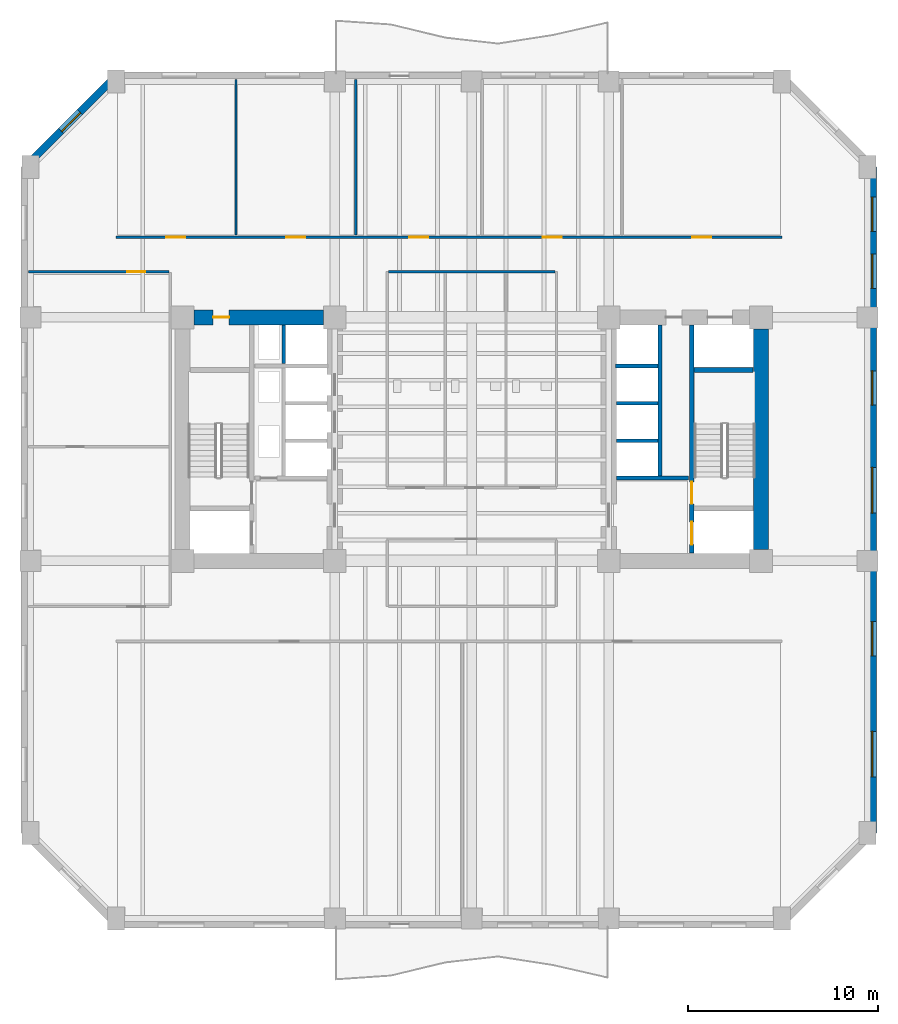
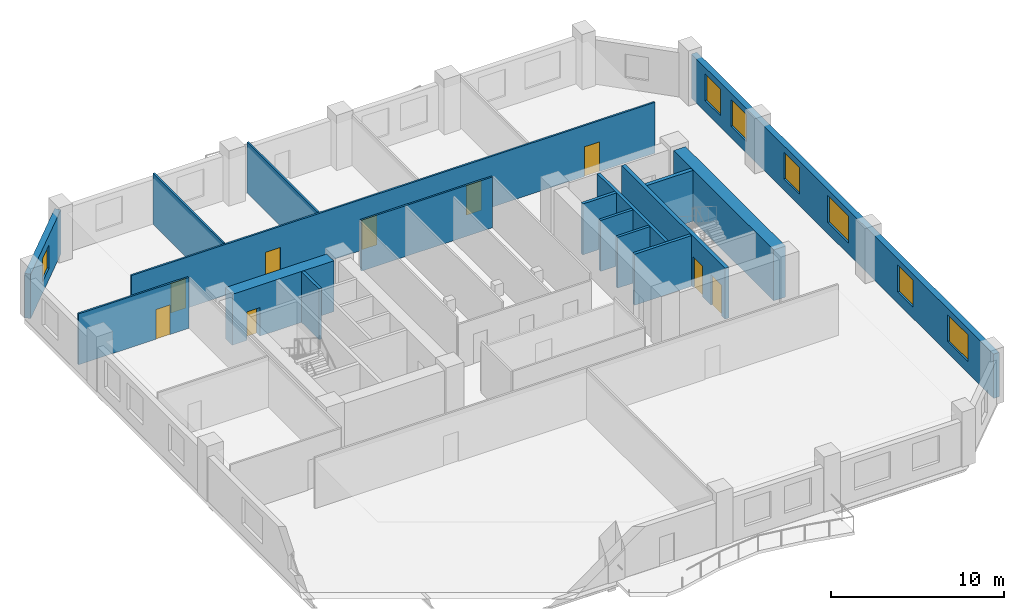
# One storey, part 4 of 9: 17 walls, 9 doors, 7 windows, 16 openings.
"""IFC4 building model written with IfcOpenShell, lengths in metres."""

from ifc_helpers import new_model, si_unit, direction, frame, frame_2d, origin, place, context, subcontext, project, spatial, rectangle, extrude, material, layer, layer_set, type_object, element, fill, save


model = new_model("IFC4")

# Units and contexts
model_context = context("Model", 3, precision=1e-05, world=origin(), true_north=direction((0.0, 1.0)))
body_context = subcontext(model_context, "Body", "Model", "MODEL_VIEW")
ifc_project = project(units=[si_unit("LENGTHUNIT", "METRE"), si_unit("AREAUNIT", "SQUARE_METRE"), si_unit("VOLUMEUNIT", "CUBIC_METRE"), si_unit("PLANEANGLEUNIT", "RADIAN"), si_unit("MASSUNIT", "GRAM", prefix="KILO")], contexts=[model_context])

# Site, building, storey
site_placement = place(None, origin())
site = spatial("IfcSite", under=ifc_project, at=site_placement, CompositionType="ELEMENT")
building_placement = place(site_placement, origin())
building = spatial("IfcBuilding", under=site, at=building_placement, Name="Kranthara Brick Stack", CompositionType="ELEMENT")
storey_placement = place(building_placement, frame((0.0, 0.0, 28.199951171875)))
storey = spatial("IfcBuildingStorey", under=building, at=storey_placement, Name="L06", CompositionType="ELEMENT", Elevation=28.199951171875)

# Wall, opening, window
ifc_material_1 = material(Name="Kiln-fired clay brick masonry M15", Category="masonry")
ifc_layer_1 = layer(ifc_material_1, 0.3798828125)
ifc_layer_set_1 = layer_set([ifc_layer_1], Name="Kiln-fired clay brick masonry M15")
wall_type_1 = type_object("IfcWallType", Name="WL-BRK-PIER-380", PredefinedType="STANDARD", material=ifc_layer_set_1)
wall_1_placement = place(storey_placement, frame((4.510009765625, 41.5, 0.0), z_axis=(0.0, 0.0, 1.0), x_axis=(0.707106781187, 0.707106781187, 0.0)))
wall_1 = element("IfcWall", 1, at=wall_1_placement, inside=storey, type_object=wall_type_1, Name="L06 Exterior Brick Facade Wall NW 1", PredefinedType="STANDARD", context=body_context, shape_type="SweptSolid", body=[
    extrude(rectangle(XDim=6.774169921875, YDim=0.3798828125, at=frame_2d((3.38720703125, 0.0))), origin(), (0.0, 0.0, 1.0), 3.135009765625),
])
opening_1_placement = place(wall_1_placement, frame((2.68701171875, 0.0, 0.800048828125)))
opening_1 = element("IfcOpeningElement", 2, at=opening_1_placement, cuts=wall_1, Name="Opening WN10", PredefinedType="OPENING", context=body_context, shape_type="SweptSolid", body=[
    extrude(rectangle(XDim=1.39990234375, YDim=1.64990234375, at=frame_2d((0.699951171875, 0.824951171875))), frame((0.0, 0.199951171875, 0.0), z_axis=(0.0, -1.0, 0.0), x_axis=(1.0, 0.0, 0.0)), (0.0, 0.0, 1.0), 0.39990234375),
])
ifc_material_2 = material(Name="Double-glazed low-E solar control glass", Category="glass")
window_type_1 = type_object("IfcWindowType", Name="WN-CHM-1400x1750", PartitioningType="SINGLE_PANEL", PredefinedType="WINDOW", material=ifc_material_2)
window_1_placement = place(opening_1_placement, origin())
window_1 = element("IfcWindow", 3, at=window_1_placement, inside=storey, type_object=window_type_1, Name="L06 NW Chamfer Corner Window", OverallHeight=1.64990234375, OverallWidth=1.39990234375, PartitioningType="SINGLE_PANEL", PredefinedType="WINDOW", context=body_context, shape_type="SweptSolid", body=[
    extrude(rectangle(XDim=1.39990234375, YDim=1.64990234375, at=frame_2d((0.699951171875, 0.824951171875))), frame((0.0, -0.010009765625, 0.0), z_axis=(0.0, -1.0, 0.0), x_axis=(1.0, 0.0, 0.0)), (0.0, 0.0, 1.0), 0.06005859375),
])
fill(opening_1, window_1)

# Wall, openings, windows
wall_2_placement = place(storey_placement, frame((49.090087890625, 41.5, 0.0), z_axis=(0.0, 0.0, 1.0), x_axis=(0.0, -1.0, 0.0)))
wall_2 = element("IfcWall", 4, at=wall_2_placement, inside=storey, type_object=wall_type_1, Name="L06 Exterior Brick Facade Wall EAST 1", PredefinedType="STANDARD", context=body_context, shape_type="SweptSolid", body=[
    extrude(rectangle(XDim=35.0, YDim=0.3798828125, at=frame_2d((17.5, 0.0))), origin(), (0.0, 0.0, 1.0), 3.135009765625),
])
opening_2_placement = place(wall_2_placement, frame((1.574951171875, 0.0, 0.800048828125)))
opening_2 = element("IfcOpeningElement", 5, at=opening_2_placement, cuts=wall_2, Name="Opening WN01", PredefinedType="OPENING", context=body_context, shape_type="SweptSolid", body=[
    extrude(rectangle(XDim=1.800048828125, YDim=1.89990234375, at=frame_2d((0.89990234375, 0.949951171875))), frame((0.0, 0.199951171875, 0.0), z_axis=(0.0, -1.0, 0.0), x_axis=(1.0, 0.0, 0.0)), (0.0, 0.0, 1.0), 0.39990234375),
])
opening_3_placement = place(wall_2_placement, frame((4.574951171875, 0.0, 0.800048828125)))
opening_3 = element("IfcOpeningElement", 6, at=opening_3_placement, cuts=wall_2, Name="Opening WN01", PredefinedType="OPENING", context=body_context, shape_type="SweptSolid", body=[
    extrude(rectangle(XDim=1.800048828125, YDim=1.89990234375, at=frame_2d((0.89990234375, 0.949951171875))), frame((0.0, 0.199951171875, 0.0), z_axis=(0.0, -1.0, 0.0), x_axis=(1.0, 0.0, 0.0)), (0.0, 0.0, 1.0), 0.39990234375),
])
opening_4_placement = place(wall_2_placement, frame((10.7119140625, 0.0, 0.800048828125)))
opening_4 = element("IfcOpeningElement", 7, at=opening_4_placement, cuts=wall_2, Name="Opening WN01", PredefinedType="OPENING", context=body_context, shape_type="SweptSolid", body=[
    extrude(rectangle(XDim=1.800048828125, YDim=1.89990234375, at=frame_2d((0.89990234375, 0.949951171875))), frame((0.0, 0.199951171875, 0.0), z_axis=(0.0, -1.0, 0.0), x_axis=(1.0, 0.0, 0.0)), (0.0, 0.0, 1.0), 0.39990234375),
])
opening_5_placement = place(wall_2_placement, frame((15.7880859375, 0.0, 0.800048828125)))
opening_5 = element("IfcOpeningElement", 8, at=opening_5_placement, cuts=wall_2, Name="Opening WN02", PredefinedType="OPENING", context=body_context, shape_type="SweptSolid", body=[
    extrude(rectangle(XDim=2.39990234375, YDim=1.89990234375, at=frame_2d((1.199951171875, 0.949951171875))), frame((0.0, 0.199951171875, 0.0), z_axis=(0.0, -1.0, 0.0), x_axis=(1.0, 0.0, 0.0)), (0.0, 0.0, 1.0), 0.39990234375),
])
opening_6_placement = place(wall_2_placement, frame((23.888916015625, 0.0, 0.800048828125)))
opening_6 = element("IfcOpeningElement", 9, at=opening_6_placement, cuts=wall_2, Name="Opening WN01", PredefinedType="OPENING", context=body_context, shape_type="SweptSolid", body=[
    extrude(rectangle(XDim=1.800048828125, YDim=1.89990234375, at=frame_2d((0.89990234375, 0.949951171875))), frame((0.0, 0.199951171875, 0.0), z_axis=(0.0, -1.0, 0.0), x_axis=(1.0, 0.0, 0.0)), (0.0, 0.0, 1.0), 0.39990234375),
])
opening_7_placement = place(wall_2_placement, frame((29.660888671875, 0.0, 0.800048828125)))
opening_7 = element("IfcOpeningElement", 10, at=opening_7_placement, cuts=wall_2, Name="Opening WN02", PredefinedType="OPENING", context=body_context, shape_type="SweptSolid", body=[
    extrude(rectangle(XDim=2.39990234375, YDim=1.89990234375, at=frame_2d((1.199951171875, 0.949951171875))), frame((0.0, 0.199951171875, 0.0), z_axis=(0.0, -1.0, 0.0), x_axis=(1.0, 0.0, 0.0)), (0.0, 0.0, 1.0), 0.39990234375),
])
ifc_material_3 = material(Name="Double-glazed low-E solar control glass", Category="glass")
window_type_2 = type_object("IfcWindowType", Name="WN-OFF-1800x2000", PartitioningType="SINGLE_PANEL", PredefinedType="WINDOW", material=ifc_material_3)
window_2_placement = place(opening_2_placement, origin())
window_2 = element("IfcWindow", 11, at=window_2_placement, inside=storey, type_object=window_type_2, Name="L06 East Deep-Set Brick Window 01", OverallHeight=1.89990234375, OverallWidth=1.800048828125, PartitioningType="SINGLE_PANEL", PredefinedType="WINDOW", context=body_context, shape_type="SweptSolid", body=[
    extrude(rectangle(XDim=1.800048828125, YDim=1.89990234375, at=frame_2d((0.89990234375, 0.949951171875))), frame((0.0, -0.010009765625, 0.0), z_axis=(0.0, -1.0, 0.0), x_axis=(1.0, 0.0, 0.0)), (0.0, 0.0, 1.0), 0.06005859375),
])
fill(opening_2, window_2)
window_3_placement = place(opening_3_placement, origin())
window_3 = element("IfcWindow", 12, at=window_3_placement, inside=storey, type_object=window_type_2, Name="L06 East Deep-Set Brick Window 02", OverallHeight=1.89990234375, OverallWidth=1.800048828125, PartitioningType="SINGLE_PANEL", PredefinedType="WINDOW", context=body_context, shape_type="SweptSolid", body=[
    extrude(rectangle(XDim=1.800048828125, YDim=1.89990234375, at=frame_2d((0.89990234375, 0.949951171875))), frame((0.0, -0.010009765625, 0.0), z_axis=(0.0, -1.0, 0.0), x_axis=(1.0, 0.0, 0.0)), (0.0, 0.0, 1.0), 0.06005859375),
])
fill(opening_3, window_3)
window_4_placement = place(opening_4_placement, origin())
window_4 = element("IfcWindow", 13, at=window_4_placement, inside=storey, type_object=window_type_2, Name="L06 East Deep-Set Brick Window 03", OverallHeight=1.89990234375, OverallWidth=1.800048828125, PartitioningType="SINGLE_PANEL", PredefinedType="WINDOW", context=body_context, shape_type="SweptSolid", body=[
    extrude(rectangle(XDim=1.800048828125, YDim=1.89990234375, at=frame_2d((0.89990234375, 0.949951171875))), frame((0.0, -0.010009765625, 0.0), z_axis=(0.0, -1.0, 0.0), x_axis=(1.0, 0.0, 0.0)), (0.0, 0.0, 1.0), 0.06005859375),
])
fill(opening_4, window_4)
window_5_placement = place(opening_6_placement, origin())
window_5 = element("IfcWindow", 14, at=window_5_placement, inside=storey, type_object=window_type_2, Name="L06 East Deep-Set Brick Window 05", OverallHeight=1.89990234375, OverallWidth=1.800048828125, PartitioningType="SINGLE_PANEL", PredefinedType="WINDOW", context=body_context, shape_type="SweptSolid", body=[
    extrude(rectangle(XDim=1.800048828125, YDim=1.89990234375, at=frame_2d((0.89990234375, 0.949951171875))), frame((0.0, -0.010009765625, 0.0), z_axis=(0.0, -1.0, 0.0), x_axis=(1.0, 0.0, 0.0)), (0.0, 0.0, 1.0), 0.06005859375),
])
fill(opening_6, window_5)
ifc_material_4 = material(Name="Double-glazed low-E solar control glass", Category="glass")
window_type_3 = type_object("IfcWindowType", Name="WN-OFF-2400x2000", PartitioningType="DOUBLE_PANEL_VERTICAL", PredefinedType="WINDOW", material=ifc_material_4)
window_6_placement = place(opening_5_placement, origin())
window_6 = element("IfcWindow", 15, at=window_6_placement, inside=storey, type_object=window_type_3, Name="L06 East Deep-Set Brick Window 04", OverallHeight=1.89990234375, OverallWidth=2.39990234375, PartitioningType="SINGLE_PANEL", PredefinedType="WINDOW", context=body_context, shape_type="SweptSolid", body=[
    extrude(rectangle(XDim=2.39990234375, YDim=1.89990234375, at=frame_2d((1.199951171875, 0.949951171875))), frame((0.0, -0.010009765625, 0.0), z_axis=(0.0, -1.0, 0.0), x_axis=(1.0, 0.0, 0.0)), (0.0, 0.0, 1.0), 0.06005859375),
])
fill(opening_5, window_6)
window_7_placement = place(opening_7_placement, origin())
window_7 = element("IfcWindow", 16, at=window_7_placement, inside=storey, type_object=window_type_3, Name="L06 East Deep-Set Brick Window 06", OverallHeight=1.89990234375, OverallWidth=2.39990234375, PartitioningType="SINGLE_PANEL", PredefinedType="WINDOW", context=body_context, shape_type="SweptSolid", body=[
    extrude(rectangle(XDim=2.39990234375, YDim=1.89990234375, at=frame_2d((1.199951171875, 0.949951171875))), frame((0.0, -0.010009765625, 0.0), z_axis=(0.0, -1.0, 0.0), x_axis=(1.0, 0.0, 0.0)), (0.0, 0.0, 1.0), 0.06005859375),
])
fill(opening_7, window_7)

# Wall, openings, doors
ifc_material_5 = material(Name="Concrete C50/60", Category="concrete")
ifc_layer_2 = layer(ifc_material_5, 0.25)
ifc_layer_set_2 = layer_set([ifc_layer_2], Name="Concrete C50/60")
wall_type_2 = type_object("IfcWallType", Name="WL-CORE-250", PredefinedType="SHEAR", material=ifc_layer_set_2)
wall_3_placement = place(storey_placement, frame((39.56494140625, 21.2099609375, 0.0), z_axis=(0.0, 0.0, 1.0), x_axis=(0.0, 1.0, 0.0)))
wall_3 = element("IfcWall", 17, at=wall_3_placement, inside=storey, type_object=wall_type_2, Name="L06 East Core Stair Bearing Spine Wall", PredefinedType="SHEAR", context=body_context, shape_type="SweptSolid", body=[
    extrude(rectangle(XDim=11.97998046875, YDim=0.25, at=frame_2d((5.989990234375, 0.0))), origin(), (0.0, 0.0, 1.0), 3.60009765625),
])
opening_8_placement = place(wall_3_placement, frame((0.43994140625, 0.0, 0.0)))
opening_8 = element("IfcOpeningElement", 18, at=opening_8_placement, cuts=wall_3, Name="Opening LD01", PredefinedType="OPENING", context=body_context, shape_type="SweptSolid", body=[
    extrude(rectangle(XDim=1.199951171875, YDim=2.14990234375, at=frame_2d((0.60009765625, 1.074951171875))), frame((0.0, 0.135009765625, 0.0), z_axis=(0.0, -1.0, 0.0), x_axis=(1.0, 0.0, 0.0)), (0.0, 0.0, 1.0), 0.27001953125),
])
opening_9_placement = place(wall_3_placement, frame((2.590087890625, 0.0, 0.0)))
opening_9 = element("IfcOpeningElement", 19, at=opening_9_placement, cuts=wall_3, Name="Opening D05", PredefinedType="OPENING", context=body_context, shape_type="SweptSolid", body=[
    extrude(rectangle(XDim=1.14990234375, YDim=2.14990234375, at=frame_2d((0.574951171875, 1.074951171875))), frame((0.0, 0.135009765625, 0.0), z_axis=(0.0, -1.0, 0.0), x_axis=(1.0, 0.0, 0.0)), (0.0, 0.0, 1.0), 0.27001953125),
])
ifc_material_6 = material(Name="Stainless steel sliding landing door", Category="steel")
door_type_1 = type_object("IfcDoorType", Name="DR-LD-FF1200", OperationType="DOUBLE_DOOR_SLIDING", PredefinedType="DOOR", material=ifc_material_6)
door_1_placement = place(opening_8_placement, origin())
door_1 = element("IfcDoor", 20, at=door_1_placement, inside=storey, type_object=door_type_1, Name="L06 Firefighting Lift FF-02 Landing Door", OperationType="DOUBLE_DOOR_SLIDING", OverallHeight=2.14990234375, OverallWidth=1.199951171875, PredefinedType="DOOR", context=body_context, shape_type="SweptSolid", body=[
    extrude(rectangle(XDim=1.199951171875, YDim=2.14990234375, at=frame_2d((0.60009765625, 1.074951171875))), frame((0.0, 0.02490234375, 0.0), z_axis=(0.0, -1.0, 0.0), x_axis=(1.0, 0.0, 0.0)), (0.0, 0.0, 1.0), 0.050048828125),
])
fill(opening_8, door_1)
ifc_material_7 = material(Name="Solid-core hardwood timber leaf in steel frame", Category="steel")
door_type_2 = type_object("IfcDoorType", Name="DR-ST-1150", OperationType="NOTDEFINED", PredefinedType="DOOR", material=ifc_material_7)
door_2_placement = place(opening_9_placement, origin())
door_2 = element("IfcDoor", 21, at=door_2_placement, inside=storey, type_object=door_type_2, Name="L06 Exit Stair ST02 Door", OperationType="SINGLE_SWING_LEFT", OverallHeight=2.14990234375, OverallWidth=1.14990234375, PredefinedType="DOOR", context=body_context, shape_type="SweptSolid", body=[
    extrude(rectangle(XDim=1.14990234375, YDim=2.14990234375, at=frame_2d((0.574951171875, 1.074951171875))), frame((0.0, 0.02490234375, 0.0), z_axis=(0.0, -1.0, 0.0), x_axis=(1.0, 0.0, 0.0)), (0.0, 0.0, 1.0), 0.050048828125),
])
fill(opening_9, door_2)

# Wall
wall_4_placement = place(storey_placement, frame((39.68994140625, 30.830078125, 0.0), z_axis=(0.0, 0.0, 1.0), x_axis=(1.0, 0.0, 0.0)))
element("IfcWall", 22, at=wall_4_placement, inside=storey, type_object=wall_type_2, Name="L06 East Stairwell Bearing Wall EST", PredefinedType="SHEAR", context=body_context, shape_type="SweptSolid", body=[
    extrude(rectangle(XDim=3.10009765625, YDim=0.25, at=frame_2d((1.550048828125, 0.0))), origin(), (0.0, 0.0, 1.0), 3.60009765625),
])

# Wall, opening, door
ifc_material_8 = material(Name="Concrete C70/85", Category="concrete")
ifc_layer_3 = layer(ifc_material_8, 0.800048828125)
ifc_layer_set_3 = layer_set([ifc_layer_3], Name="Concrete C70/85")
wall_type_3 = type_object("IfcWallType", Name="WL-CORE-800", PredefinedType="SHEAR", material=ifc_layer_set_3)
wall_5_placement = place(storey_placement, frame((13.405029296875, 33.60009765625, 0.0), z_axis=(0.0, 0.0, 1.0), x_axis=(1.0, 0.0, 0.0)))
wall_5 = element("IfcWall", 23, at=wall_5_placement, inside=storey, type_object=wall_type_3, Name="L06 West Core Shear Wall North", PredefinedType="SHEAR", context=body_context, shape_type="SweptSolid", body=[
    extrude(rectangle(XDim=6.7900390625, YDim=0.800048828125, at=frame_2d((3.39501953125, 0.0))), origin(), (0.0, 0.0, 1.0), 3.60009765625),
])
opening_10_placement = place(wall_5_placement, frame((0.9951171875, 0.0, 0.0)))
opening_10 = element("IfcOpeningElement", 24, at=opening_10_placement, cuts=wall_5, Name="Opening D10", PredefinedType="OPENING", context=body_context, shape_type="SweptSolid", body=[
    extrude(rectangle(XDim=0.85009765625, YDim=2.02001953125, at=frame_2d((0.425048828125, 1.010009765625))), frame((0.0, 0.409912109375, 0.0), z_axis=(0.0, -1.0, 0.0), x_axis=(1.0, 0.0, 0.0)), (0.0, 0.0, 1.0), 0.820068359375),
])
ifc_material_9 = material(Name="Solid-core hardwood timber leaf in steel frame", Category="steel")
door_type_3 = type_object("IfcDoorType", Name="DR-RSR-850", OperationType="NOTDEFINED", PredefinedType="DOOR", material=ifc_material_9)
door_3_placement = place(opening_10_placement, origin())
door_3 = element("IfcDoor", 25, at=door_3_placement, inside=storey, type_object=door_type_3, Name="L06 West Core Service Door 1", OperationType="SINGLE_SWING_LEFT", OverallHeight=2.02001953125, OverallWidth=0.85009765625, PredefinedType="DOOR", context=body_context, shape_type="SweptSolid", body=[
    extrude(rectangle(XDim=0.85009765625, YDim=2.02001953125, at=frame_2d((0.425048828125, 1.010009765625))), frame((0.0, 0.02490234375, 0.0), z_axis=(0.0, -1.0, 0.0), x_axis=(1.0, 0.0, 0.0)), (0.0, 0.0, 1.0), 0.050048828125),
])
fill(opening_10, door_3)

# Walls
wall_6_placement = place(storey_placement, frame((43.199951171875, 21.405029296875, 0.0), z_axis=(0.0, 0.0, 1.0), x_axis=(0.0, 1.0, 0.0)))
element("IfcWall", 26, at=wall_6_placement, inside=storey, type_object=wall_type_3, Name="L06 East Core Shear Wall East", PredefinedType="SHEAR", context=body_context, shape_type="SweptSolid", body=[
    extrude(rectangle(XDim=11.590087890625, YDim=0.800048828125, at=frame_2d((5.794921875, 0.0))), origin(), (0.0, 0.0, 1.0), 3.60009765625),
])
ifc_material_10 = material(Name="Acoustic gypsum plasterboard partition", Category="other")
ifc_layer_4 = layer(ifc_material_10, 0.1201171875)
ifc_layer_set_4 = layer_set([ifc_layer_4], Name="Acoustic gypsum plasterboard partition")
wall_type_4 = type_object("IfcWallType", Name="WL-PART-120", PredefinedType="PARTITIONING", material=ifc_layer_set_4)
wall_7_placement = place(storey_placement, frame((23.614990234375, 36.0, 0.0), z_axis=(0.0, 0.0, 1.0), x_axis=(1.0, 0.0, 0.0)))
element("IfcWall", 27, at=wall_7_placement, inside=storey, type_object=wall_type_4, Name="L06 Interior Partition 006", PredefinedType="PARTITIONING", context=body_context, shape_type="SweptSolid", body=[
    extrude(rectangle(XDim=8.77001953125, YDim=0.1201171875, at=frame_2d((4.385009765625, 0.0))), origin(), (0.0, 0.0, 1.0), 3.60009765625),
])

# Wall, openings, doors
wall_8_placement = place(storey_placement, frame((9.300048828125, 37.820068359375, 0.0), z_axis=(0.0, 0.0, 1.0), x_axis=(1.0, 0.0, 0.0)))
wall_8 = element("IfcWall", 28, at=wall_8_placement, inside=storey, type_object=wall_type_4, Name="L06 Interior Partition 013", PredefinedType="PARTITIONING", context=body_context, shape_type="SweptSolid", body=[
    extrude(rectangle(XDim=35.0, YDim=0.1201171875, at=frame_2d((17.5, 0.0))), origin(), (0.0, 0.0, 1.0), 3.60009765625),
])
opening_11_placement = place(wall_8_placement, frame((2.64990234375, 0.0, 0.0)))
opening_11 = element("IfcOpeningElement", 29, at=opening_11_placement, cuts=wall_8, Name="Opening D13", PredefinedType="OPENING", context=body_context, shape_type="SweptSolid", body=[
    extrude(rectangle(XDim=1.0, YDim=2.10009765625, at=frame_2d((0.5, 1.050048828125))), frame((0.0, 0.070068359375, 0.0), z_axis=(0.0, -1.0, 0.0), x_axis=(1.0, 0.0, 0.0)), (0.0, 0.0, 1.0), 0.14013671875),
])
opening_12_placement = place(wall_8_placement, frame((8.949951171875, 0.0, 0.0)))
opening_12 = element("IfcOpeningElement", 30, at=opening_12_placement, cuts=wall_8, Name="Opening D13", PredefinedType="OPENING", context=body_context, shape_type="SweptSolid", body=[
    extrude(rectangle(XDim=1.0, YDim=2.10009765625, at=frame_2d((0.5, 1.050048828125))), frame((0.0, 0.070068359375, 0.0), z_axis=(0.0, -1.0, 0.0), x_axis=(1.0, 0.0, 0.0)), (0.0, 0.0, 1.0), 0.14013671875),
])
opening_13_placement = place(wall_8_placement, frame((15.425048828125, 0.0, 0.0)))
opening_13 = element("IfcOpeningElement", 31, at=opening_13_placement, cuts=wall_8, Name="Opening D13", PredefinedType="OPENING", context=body_context, shape_type="SweptSolid", body=[
    extrude(rectangle(XDim=1.0, YDim=2.10009765625, at=frame_2d((0.5, 1.050048828125))), frame((0.0, 0.070068359375, 0.0), z_axis=(0.0, -1.0, 0.0), x_axis=(1.0, 0.0, 0.0)), (0.0, 0.0, 1.0), 0.14013671875),
])
opening_14_placement = place(wall_8_placement, frame((22.425048828125, 0.0, 0.0)))
opening_14 = element("IfcOpeningElement", 32, at=opening_14_placement, cuts=wall_8, Name="Opening D13", PredefinedType="OPENING", context=body_context, shape_type="SweptSolid", body=[
    extrude(rectangle(XDim=1.0, YDim=2.10009765625, at=frame_2d((0.5, 1.050048828125))), frame((0.0, 0.070068359375, 0.0), z_axis=(0.0, -1.0, 0.0), x_axis=(1.0, 0.0, 0.0)), (0.0, 0.0, 1.0), 0.14013671875),
])
opening_15_placement = place(wall_8_placement, frame((30.300048828125, 0.0, 0.0)))
opening_15 = element("IfcOpeningElement", 33, at=opening_15_placement, cuts=wall_8, Name="Opening D13", PredefinedType="OPENING", context=body_context, shape_type="SweptSolid", body=[
    extrude(rectangle(XDim=1.0, YDim=2.10009765625, at=frame_2d((0.5, 1.050048828125))), frame((0.0, 0.070068359375, 0.0), z_axis=(0.0, -1.0, 0.0), x_axis=(1.0, 0.0, 0.0)), (0.0, 0.0, 1.0), 0.14013671875),
])
ifc_material_11 = material(Name="Solid-core hardwood timber leaf in steel frame", Category="steel")
door_type_4 = type_object("IfcDoorType", Name="DR-INT-1000", OperationType="NOTDEFINED", PredefinedType="DOOR", material=ifc_material_11)
door_4_placement = place(opening_11_placement, origin())
door_4 = element("IfcDoor", 34, at=door_4_placement, inside=storey, type_object=door_type_4, Name="L06 Executive Cellular Office 07", OperationType="SINGLE_SWING_LEFT", OverallHeight=2.10009765625, OverallWidth=1.0, PredefinedType="DOOR", context=body_context, shape_type="SweptSolid", body=[
    extrude(rectangle(XDim=1.0, YDim=2.10009765625, at=frame_2d((0.5, 1.050048828125))), frame((0.0, 0.02490234375, 0.0), z_axis=(0.0, -1.0, 0.0), x_axis=(1.0, 0.0, 0.0)), (0.0, 0.0, 1.0), 0.050048828125),
])
fill(opening_11, door_4)
door_5_placement = place(opening_12_placement, origin())
door_5 = element("IfcDoor", 35, at=door_5_placement, inside=storey, type_object=door_type_4, Name="L06 Executive Cellular Office 08", OperationType="SINGLE_SWING_RIGHT", OverallHeight=2.10009765625, OverallWidth=1.0, PredefinedType="DOOR", context=body_context, shape_type="SweptSolid", body=[
    extrude(rectangle(XDim=1.0, YDim=2.10009765625, at=frame_2d((0.5, 1.050048828125))), frame((0.0, 0.02490234375, 0.0), z_axis=(0.0, -1.0, 0.0), x_axis=(1.0, 0.0, 0.0)), (0.0, 0.0, 1.0), 0.050048828125),
])
fill(opening_12, door_5)
door_6_placement = place(opening_13_placement, origin())
door_6 = element("IfcDoor", 36, at=door_6_placement, inside=storey, type_object=door_type_4, Name="L06 Executive Cellular Office 09", OperationType="SINGLE_SWING_LEFT", OverallHeight=2.10009765625, OverallWidth=1.0, PredefinedType="DOOR", context=body_context, shape_type="SweptSolid", body=[
    extrude(rectangle(XDim=1.0, YDim=2.10009765625, at=frame_2d((0.5, 1.050048828125))), frame((0.0, 0.02490234375, 0.0), z_axis=(0.0, -1.0, 0.0), x_axis=(1.0, 0.0, 0.0)), (0.0, 0.0, 1.0), 0.050048828125),
])
fill(opening_13, door_6)
door_7_placement = place(opening_14_placement, origin())
door_7 = element("IfcDoor", 37, at=door_7_placement, inside=storey, type_object=door_type_4, Name="L06 Meeting Room 10", OperationType="SINGLE_SWING_RIGHT", OverallHeight=2.10009765625, OverallWidth=1.0, PredefinedType="DOOR", context=body_context, shape_type="SweptSolid", body=[
    extrude(rectangle(XDim=1.0, YDim=2.10009765625, at=frame_2d((0.5, 1.050048828125))), frame((0.0, 0.02490234375, 0.0), z_axis=(0.0, -1.0, 0.0), x_axis=(1.0, 0.0, 0.0)), (0.0, 0.0, 1.0), 0.050048828125),
])
fill(opening_14, door_7)
door_8_placement = place(opening_15_placement, origin())
door_8 = element("IfcDoor", 38, at=door_8_placement, inside=storey, type_object=door_type_4, Name="L06 Staff Pantry 11", OperationType="SINGLE_SWING_LEFT", OverallHeight=2.10009765625, OverallWidth=1.0, PredefinedType="DOOR", context=body_context, shape_type="SweptSolid", body=[
    extrude(rectangle(XDim=1.0, YDim=2.10009765625, at=frame_2d((0.5, 1.050048828125))), frame((0.0, 0.02490234375, 0.0), z_axis=(0.0, -1.0, 0.0), x_axis=(1.0, 0.0, 0.0)), (0.0, 0.0, 1.0), 0.050048828125),
])
fill(opening_15, door_8)

# Walls
for number, where, z_axis, x_axis, name in (
    (39, (15.60009765625, 37.919921875, 0.0), (0.0, 0.0, 1.0), (0.0, 1.0, 0.0), "L06 Interior Partition 014"),
    (40, (21.89990234375, 37.919921875, 0.0), (0.0, 0.0, 1.0), (0.0, 1.0, 0.0), "L06 Interior Partition 015"),
):
    element("IfcWall", number, at=place(storey_placement, frame(where, z_axis=z_axis, x_axis=x_axis)), inside=storey, type_object=wall_type_4, Name=name, PredefinedType="PARTITIONING", context=body_context, shape_type="SweptSolid", body=[
        extrude(rectangle(XDim=8.175048828125, YDim=0.1201171875, at=frame_2d((4.08740234375, 0.0))), origin(), (0.0, 0.0, 1.0), 3.60009765625),
    ])

# Wall, opening, door
wall_9_placement = place(storey_placement, frame((4.705078125, 36.0, 0.0), z_axis=(0.0, 0.0, 1.0), x_axis=(1.0, 0.0, 0.0)))
wall_9 = element("IfcWall", 41, at=wall_9_placement, inside=storey, type_object=wall_type_4, Name="L06 Interior Partition 020", PredefinedType="PARTITIONING", context=body_context, shape_type="SweptSolid", body=[
    extrude(rectangle(XDim=7.3798828125, YDim=0.1201171875, at=frame_2d((3.68994140625, 0.0))), origin(), (0.0, 0.0, 1.0), 3.60009765625),
])
opening_16_placement = place(wall_9_placement, frame((5.179931640625, 0.0, 0.0)))
opening_16 = element("IfcOpeningElement", 42, at=opening_16_placement, cuts=wall_9, Name="Opening D14", PredefinedType="OPENING", context=body_context, shape_type="SweptSolid", body=[
    extrude(rectangle(XDim=0.949951171875, YDim=2.10009765625, at=frame_2d((0.47509765625, 1.050048828125))), frame((0.0, 0.070068359375, 0.0), z_axis=(0.0, -1.0, 0.0), x_axis=(1.0, 0.0, 0.0)), (0.0, 0.0, 1.0), 0.14013671875),
])
ifc_material_12 = material(Name="Solid-core hardwood timber leaf in steel frame", Category="steel")
door_type_5 = type_object("IfcDoorType", Name="DR-INT-950", OperationType="NOTDEFINED", PredefinedType="DOOR", material=ifc_material_12)
door_9_placement = place(opening_16_placement, origin())
door_9 = element("IfcDoor", 43, at=door_9_placement, inside=storey, type_object=door_type_5, Name="L06 West North Office 14", OperationType="SINGLE_SWING_RIGHT", OverallHeight=2.10009765625, OverallWidth=0.949951171875, PredefinedType="DOOR", context=body_context, shape_type="SweptSolid", body=[
    extrude(rectangle(XDim=0.949951171875, YDim=2.10009765625, at=frame_2d((0.47509765625, 1.050048828125))), frame((0.0, 0.02490234375, 0.0), z_axis=(0.0, -1.0, 0.0), x_axis=(1.0, 0.0, 0.0)), (0.0, 0.0, 1.0), 0.050048828125),
])
fill(opening_16, door_9)

# Walls
ifc_material_13 = material(Name="Gypsum plasterboard on acoustic twin stud", Category="other")
ifc_layer_5 = layer(ifc_material_13, 0.179931640625)
ifc_layer_set_5 = layer_set([ifc_layer_5], Name="Gypsum plasterboard on acoustic twin stud")
wall_type_5 = type_object("IfcWallType", Name="WL-PART-180", PredefinedType="PARTITIONING", material=ifc_layer_set_5)
wall_10_placement = place(storey_placement, frame((18.1201171875, 31.169921875, 0.0), z_axis=(0.0, 0.0, 1.0), x_axis=(0.0, 1.0, 0.0)))
element("IfcWall", 44, at=wall_10_placement, inside=storey, type_object=wall_type_5, Name="L06 West Hoistway Wall WBK7", PredefinedType="PARTITIONING", context=body_context, shape_type="SweptSolid", body=[
    extrude(rectangle(XDim=2.02001953125, YDim=0.179931640625, at=frame_2d((1.010009765625, 0.0))), origin(), (0.0, 0.0, 1.0), 3.60009765625),
])
for number, where, z_axis, x_axis, name in (
    (45, (35.610107421875, 27.1201171875, 0.0), (0.0, 0.0, 1.0), (1.0, 0.0, 0.0), "L06 East Hoistway Wall EH1"),
    (46, (35.610107421875, 29.080078125, 0.0), (0.0, 0.0, 1.0), (1.0, 0.0, 0.0), "L06 East Hoistway Wall EH2"),
):
    element("IfcWall", number, at=place(storey_placement, frame(where, z_axis=z_axis, x_axis=x_axis)), inside=storey, type_object=wall_type_5, Name=name, PredefinedType="PARTITIONING", context=body_context, shape_type="SweptSolid", body=[
        extrude(rectangle(XDim=2.169921875, YDim=0.179931640625, at=frame_2d((1.0849609375, 0.0))), origin(), (0.0, 0.0, 1.0), 3.60009765625),
    ])
ifc_material_14 = material(Name="Concrete C40/50", Category="concrete")
ifc_layer_6 = layer(ifc_material_14, 0.199951171875)
ifc_layer_set_6 = layer_set([ifc_layer_6], Name="Concrete C40/50")
wall_type_6 = type_object("IfcWallType", Name="WL-PART-200", PredefinedType="SOLIDWALL", material=ifc_layer_set_6)
wall_11_placement = place(storey_placement, frame((35.610107421875, 25.14990234375, 0.0), z_axis=(0.0, 0.0, 1.0), x_axis=(1.0, 0.0, 0.0)))
element("IfcWall", 47, at=wall_11_placement, inside=storey, type_object=wall_type_6, Name="L06 East Core Cross Wall EFL", PredefinedType="SOLIDWALL", context=body_context, shape_type="SweptSolid", body=[
    extrude(rectangle(XDim=3.789794921875, YDim=0.199951171875, at=frame_2d((1.89501953125, 0.0))), origin(), (0.0, 0.0, 1.0), 3.60009765625),
])
wall_12_placement = place(storey_placement, frame((35.550048828125, 31.050048828125, 0.0), z_axis=(0.0, 0.0, 1.0), x_axis=(1.0, 0.0, 0.0)))
element("IfcWall", 48, at=wall_12_placement, inside=storey, type_object=wall_type_6, Name="L06 East Core Cross Wall EE4", PredefinedType="SOLIDWALL", context=body_context, shape_type="SweptSolid", body=[
    extrude(rectangle(XDim=2.25, YDim=0.199951171875, at=frame_2d((1.125, 0.0))), origin(), (0.0, 0.0, 1.0), 3.60009765625),
])
wall_13_placement = place(storey_placement, frame((37.89990234375, 25.27001953125, 0.0), z_axis=(0.0, 0.0, 1.0), x_axis=(0.0, 1.0, 0.0)))
element("IfcWall", 49, at=wall_13_placement, inside=storey, type_object=wall_type_6, Name="L06 East Core Cross Wall ESV", PredefinedType="SOLIDWALL", context=body_context, shape_type="SweptSolid", body=[
    extrude(rectangle(XDim=7.919921875, YDim=0.199951171875, at=frame_2d((3.9599609375, 0.0))), origin(), (0.0, 0.0, 1.0), 3.60009765625),
])

save(model, "model.ifc")
